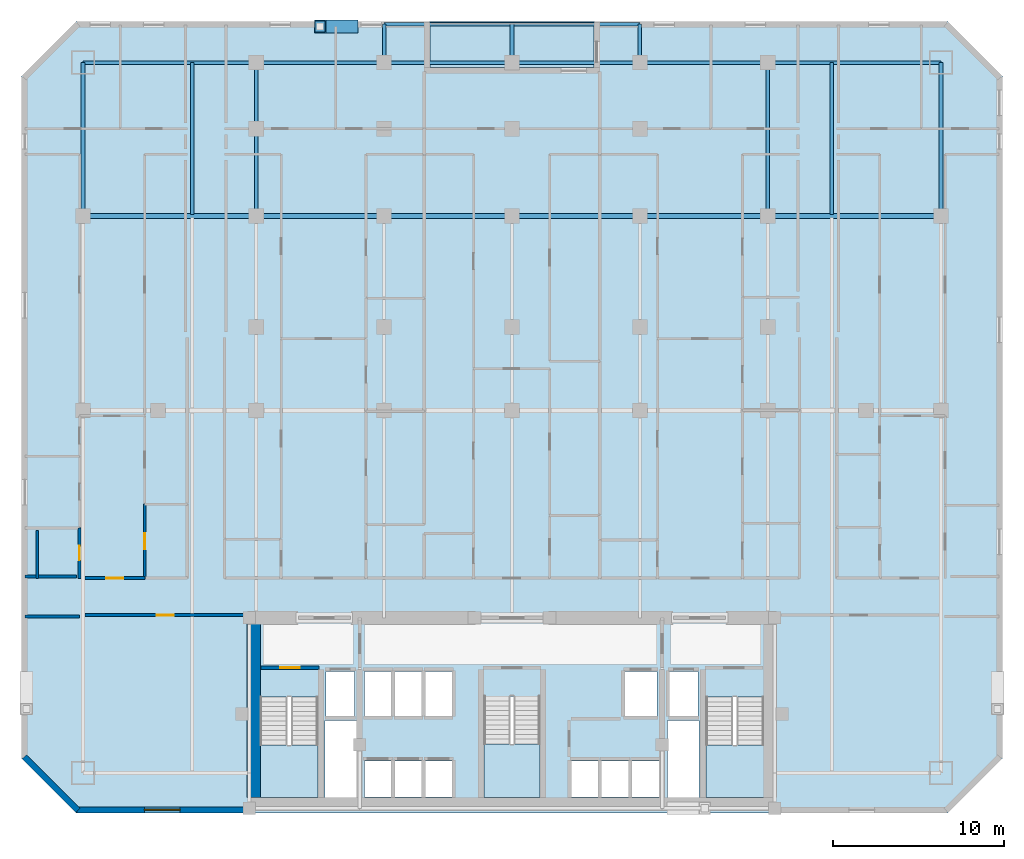
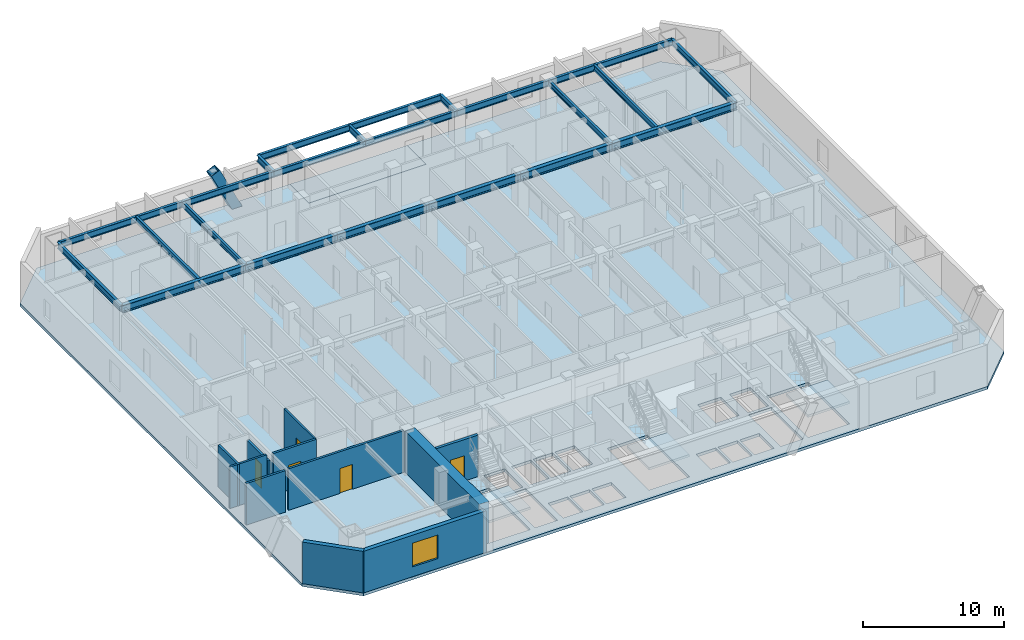
# One storey, part 2 of 10: 23 beams, 11 walls, 5 doors, 5 slabs, 1 member, 1 window, 6 openings, 3 elements without a shape of their own.
"""IFC4 building model written with IfcOpenShell, lengths in metres."""

from ifc_helpers import new_model, si_unit, direction, frame, frame_2d, origin, origin_2d, place, context, subcontext, project, spatial, polyline, rectangle, hollow_rectangle, i_section, outline, extrude, material, layer, layer_set, material_profile, profile_set, type_object, element, fill, aggregate, save


model = new_model("IFC4")

# Units and contexts
model_context = context("Model", 3, precision=1e-05, world=origin(), true_north=direction((0.0, 1.0)))
body_context = subcontext(model_context, "Body", "Model", "MODEL_VIEW")
ifc_project = project(units=[si_unit("LENGTHUNIT", "METRE"), si_unit("AREAUNIT", "SQUARE_METRE"), si_unit("VOLUMEUNIT", "CUBIC_METRE"), si_unit("PLANEANGLEUNIT", "RADIAN"), si_unit("MASSUNIT", "GRAM", prefix="KILO")], contexts=[model_context])

# Site, building, storey
site_placement = place(None, origin())
site = spatial("IfcSite", under=ifc_project, at=site_placement, CompositionType="ELEMENT")
building_placement = place(site_placement, origin())
building = spatial("IfcBuilding", under=site, at=building_placement, Name="Ventersveld Concourse Tower", CompositionType="ELEMENT")
storey_placement = place(building_placement, frame((0.0, 0.0, 49.050048828125)))
storey = spatial("IfcBuildingStorey", under=building, at=storey_placement, Name="L11", CompositionType="ELEMENT", Elevation=49.050048828125)

# Beams
ifc_material_1 = material(Name="Structural steel S355J2", Category="steel")
ifc_material_profile_1 = material_profile(ifc_material_1, i_section(OverallWidth=0.19140625, OverallDepth=0.4599609375, WebThickness=0.010009765625, FlangeThickness=0.01611328125, FilletRadius=0.01025390625, at=origin_2d()), Name="UB 457x191x82")
ifc_profile_set_1 = profile_set([ifc_material_profile_1], Name="Structural steel S355J2")
beam_type_1 = type_object("IfcBeamType", Name="BM-UB457H", PredefinedType="BEAM", material=ifc_profile_set_1)
beam_1_placement = place(storey_placement, frame((10.0, 35.094970703125, 3.369873046875), z_axis=(0.0, 1.0, 0.0), x_axis=(-1.0, 0.0, 0.0)))
element("IfcBeam", 1, at=beam_1_placement, inside=storey, type_object=beam_type_1, Name="L11 N-S Composite Floor Beam North X=10.00", PredefinedType="BEAM", context=body_context, shape_type="SweptSolid", body=[
    extrude(i_section(OverallWidth=0.19140625, OverallDepth=0.4599609375, WebThickness=0.010009765625, FlangeThickness=0.01611328125, FilletRadius=0.01025390625, at=origin_2d()), origin(), (0.0, 0.0, 1.0), 8.905029296875),
])
for number, where, z_axis, x_axis, name in (
    (2, (13.75, 35.0, 3.369873046875), (0.0, 1.0, 0.0), (-1.0, 0.0, 0.0), "L11 N-S Composite Floor Beam North X=13.75"),
    (3, (43.75, 35.0, 3.369873046875), (0.0, 1.0, 0.0), (-1.0, 0.0, 0.0), "L11 N-S Composite Floor Beam North X=43.75"),
):
    element("IfcBeam", number, at=place(storey_placement, frame(where, z_axis=z_axis, x_axis=x_axis)), inside=storey, type_object=beam_type_1, Name=name, PredefinedType="BEAM", context=body_context, shape_type="SweptSolid", body=[
        extrude(i_section(OverallWidth=0.19140625, OverallDepth=0.4599609375, WebThickness=0.010009765625, FlangeThickness=0.01611328125, FilletRadius=0.01025390625, at=origin_2d()), origin(), (0.0, 0.0, 1.0), 9.0),
    ])
beam_2_placement = place(storey_placement, frame((47.5, 35.094970703125, 3.369873046875), z_axis=(0.0, 1.0, 0.0), x_axis=(-1.0, 0.0, 0.0)))
element("IfcBeam", 4, at=beam_2_placement, inside=storey, type_object=beam_type_1, Name="L11 N-S Composite Floor Beam North X=47.50", PredefinedType="BEAM", context=body_context, shape_type="SweptSolid", body=[
    extrude(i_section(OverallWidth=0.19140625, OverallDepth=0.4599609375, WebThickness=0.010009765625, FlangeThickness=0.01611328125, FilletRadius=0.01025390625, at=origin_2d()), origin(), (0.0, 0.0, 1.0), 8.905029296875),
])
ifc_material_profile_2 = material_profile(ifc_material_1, i_section(OverallWidth=0.311279296875, OverallDepth=0.6357421875, WebThickness=0.018310546875, FlangeThickness=0.031494140625, FilletRadius=0.0166015625, at=origin_2d()), Name="UB 610x305x238")
ifc_profile_set_2 = profile_set([ifc_material_profile_2], Name="Structural steel S355J2")
beam_type_2 = type_object("IfcBeamType", Name="GRD-UB610H", PredefinedType="USERDEFINED", material=ifc_profile_set_2)
beam_3_placement = place(storey_placement, frame((3.60009765625, 35.0, 3.281982421875), z_axis=(1.0, 0.0, 0.0), x_axis=(0.0, 1.0, 0.0)))
element("IfcBeam", 5, at=beam_3_placement, inside=storey, type_object=beam_type_2, Name="L11 E-W Grid Girder Y=35.00 #1", ObjectType="GIRDER", PredefinedType="USERDEFINED", context=body_context, shape_type="SweptSolid", body=[
    extrude(i_section(OverallWidth=0.311279296875, OverallDepth=0.6357421875, WebThickness=0.018310546875, FlangeThickness=0.031494140625, FilletRadius=0.0166015625, at=origin_2d()), origin(), (0.0, 0.0, 1.0), 10.14990234375),
])
for number, where, z_axis, x_axis, name in (
    (6, (13.75, 35.0, 3.281982421875), (1.0, 0.0, 0.0), (0.0, 1.0, 0.0), "L11 E-W Grid Girder Y=35.00 #2"),
    (7, (21.25, 35.0, 3.281982421875), (1.0, 0.0, 0.0), (0.0, 1.0, 0.0), "L11 E-W Grid Girder Y=35.00 #3"),
    (8, (28.75, 35.0, 3.281982421875), (1.0, 0.0, 0.0), (0.0, 1.0, 0.0), "L11 E-W Grid Girder Y=35.00 #4"),
    (9, (36.25, 35.0, 3.281982421875), (1.0, 0.0, 0.0), (0.0, 1.0, 0.0), "L11 E-W Grid Girder Y=35.00 #5"),
):
    element("IfcBeam", number, at=place(storey_placement, frame(where, z_axis=z_axis, x_axis=x_axis)), inside=storey, type_object=beam_type_2, Name=name, ObjectType="GIRDER", PredefinedType="USERDEFINED", context=body_context, shape_type="SweptSolid", body=[
        extrude(i_section(OverallWidth=0.311279296875, OverallDepth=0.6357421875, WebThickness=0.018310546875, FlangeThickness=0.031494140625, FilletRadius=0.0166015625, at=origin_2d()), origin(), (0.0, 0.0, 1.0), 7.5),
    ])
beam_4_placement = place(storey_placement, frame((43.75, 35.0, 3.281982421875), z_axis=(1.0, 0.0, 0.0), x_axis=(0.0, 1.0, 0.0)))
element("IfcBeam", 10, at=beam_4_placement, inside=storey, type_object=beam_type_2, Name="L11 E-W Grid Girder Y=35.00 #6", ObjectType="GIRDER", PredefinedType="USERDEFINED", context=body_context, shape_type="SweptSolid", body=[
    extrude(i_section(OverallWidth=0.311279296875, OverallDepth=0.6357421875, WebThickness=0.018310546875, FlangeThickness=0.031494140625, FilletRadius=0.0166015625, at=origin_2d()), origin(), (0.0, 0.0, 1.0), 10.14990234375),
])

# Member
ifc_material_2 = material(Name="Structural steel S355ML", Category="steel")
ifc_material_profile_3 = material_profile(ifc_material_2, hollow_rectangle(XDim=0.75, YDim=0.75, WallThickness=0.044921875, at=origin_2d()), Name="BOX 750x750x45")
ifc_profile_set_3 = profile_set([ifc_material_profile_3], Name="Structural steel S355ML")
member_type = type_object("IfcMemberType", Name="MB-750x750", PredefinedType="BRACE", material=ifc_profile_set_3)
member_placement = place(storey_placement, frame((19.375, 46.1201171875, -0.25), z_axis=(-0.437861906815, 0.0, 0.899042240699), x_axis=(0.0, -1.0, 0.0)))
element("IfcMember", 11, at=member_placement, inside=storey, type_object=member_type, Name="L11 Exterior Mega-Brace N (Module M02)", PredefinedType="BRACE", context=body_context, shape_type="SweptSolid", body=[
    extrude(hollow_rectangle(XDim=0.75, YDim=0.75, WallThickness=0.044921875, at=origin_2d()), origin(), (0.0, 0.0, 1.0), 4.2822265625),
])

# Beams
ifc_material_profile_4 = material_profile(ifc_material_1, i_section(OverallWidth=0.2119140625, OverallDepth=0.54443359375, WebThickness=0.0126953125, FlangeThickness=0.021240234375, FilletRadius=0.0126953125, at=origin_2d()), Name="UB 533x210x122")
ifc_profile_set_4 = profile_set([ifc_material_profile_4], Name="Structural steel S355J2")
beam_type_3 = type_object("IfcBeamType", Name="SPD-UB533", PredefinedType="SPANDREL", material=ifc_profile_set_4)
for number, where, z_axis, x_axis, name in (
    (12, (3.60009765625, 35.0, 3.32763671875), (0.0, 1.0, 0.0), (-1.0, 0.0, 0.0), "L11 West Spandrel Beam N"),
    (13, (53.89990234375, 35.0, 3.32763671875), (0.0, 1.0, 0.0), (-1.0, 0.0, 0.0), "L11 East Spandrel Beam N"),
):
    element("IfcBeam", number, at=place(storey_placement, frame(where, z_axis=z_axis, x_axis=x_axis)), inside=storey, type_object=beam_type_3, Name=name, PredefinedType="SPANDREL", context=body_context, shape_type="SweptSolid", body=[
        extrude(i_section(OverallWidth=0.2119140625, OverallDepth=0.54443359375, WebThickness=0.0126953125, FlangeThickness=0.021240234375, FilletRadius=0.0126953125, at=origin_2d()), origin(), (0.0, 0.0, 1.0), 9.0),
    ])
for number, where, z_axis, x_axis, name in (
    (14, (21.25, 44.0, 3.32763671875), (0.0, 1.0, 0.0), (-1.0, 0.0, 0.0), "L11 Terrace Bracket W"),
    (15, (28.75, 44.0, 3.32763671875), (0.0, 1.0, 0.0), (-1.0, 0.0, 0.0), "L11 Terrace Bracket C"),
    (16, (36.25, 44.0, 3.32763671875), (0.0, 1.0, 0.0), (-1.0, 0.0, 0.0), "L11 Terrace Bracket E"),
):
    element("IfcBeam", number, at=place(storey_placement, frame(where, z_axis=z_axis, x_axis=x_axis)), inside=storey, type_object=beam_type_3, Name=name, PredefinedType="SPANDREL", context=body_context, shape_type="SweptSolid", body=[
        extrude(i_section(OverallWidth=0.2119140625, OverallDepth=0.54443359375, WebThickness=0.0126953125, FlangeThickness=0.021240234375, FilletRadius=0.0126953125, at=origin_2d()), origin(), (0.0, 0.0, 1.0), 2.25),
    ])
for number, where, z_axis, x_axis, name in (
    (17, (21.25, 46.25, 3.32763671875), (1.0, 0.0, 0.0), (0.0, 1.0, 0.0), "L11 Terrace Edge Spandrel W"),
    (18, (28.75, 46.25, 3.32763671875), (1.0, 0.0, 0.0), (0.0, 1.0, 0.0), "L11 Terrace Edge Spandrel E"),
):
    element("IfcBeam", number, at=place(storey_placement, frame(where, z_axis=z_axis, x_axis=x_axis)), inside=storey, type_object=beam_type_3, Name=name, PredefinedType="SPANDREL", context=body_context, shape_type="SweptSolid", body=[
        extrude(i_section(OverallWidth=0.2119140625, OverallDepth=0.54443359375, WebThickness=0.0126953125, FlangeThickness=0.021240234375, FilletRadius=0.0126953125, at=origin_2d()), origin(), (0.0, 0.0, 1.0), 7.5),
    ])
beam_5_placement = place(storey_placement, frame((3.60009765625, 44.0, 3.32763671875), z_axis=(1.0, 0.0, 0.0), x_axis=(0.0, 1.0, 0.0)))
element("IfcBeam", 19, at=beam_5_placement, inside=storey, type_object=beam_type_3, Name="L11 North Spandrel Girder Y=44.00 #1", PredefinedType="SPANDREL", context=body_context, shape_type="SweptSolid", body=[
    extrude(i_section(OverallWidth=0.2119140625, OverallDepth=0.54443359375, WebThickness=0.0126953125, FlangeThickness=0.021240234375, FilletRadius=0.0126953125, at=origin_2d()), origin(), (0.0, 0.0, 1.0), 10.14990234375),
])
for number, where, z_axis, x_axis, name in (
    (20, (13.75, 44.0, 3.32763671875), (1.0, 0.0, 0.0), (0.0, 1.0, 0.0), "L11 North Spandrel Girder Y=44.00 #2"),
    (21, (21.25, 44.0, 3.32763671875), (1.0, 0.0, 0.0), (0.0, 1.0, 0.0), "L11 North Spandrel Girder Y=44.00 #3"),
    (22, (28.75, 44.0, 3.32763671875), (1.0, 0.0, 0.0), (0.0, 1.0, 0.0), "L11 North Spandrel Girder Y=44.00 #4"),
    (23, (36.25, 44.0, 3.32763671875), (1.0, 0.0, 0.0), (0.0, 1.0, 0.0), "L11 North Spandrel Girder Y=44.00 #5"),
):
    element("IfcBeam", number, at=place(storey_placement, frame(where, z_axis=z_axis, x_axis=x_axis)), inside=storey, type_object=beam_type_3, Name=name, PredefinedType="SPANDREL", context=body_context, shape_type="SweptSolid", body=[
        extrude(i_section(OverallWidth=0.2119140625, OverallDepth=0.54443359375, WebThickness=0.0126953125, FlangeThickness=0.021240234375, FilletRadius=0.0126953125, at=origin_2d()), origin(), (0.0, 0.0, 1.0), 7.5),
    ])
beam_6_placement = place(storey_placement, frame((43.75, 44.0, 3.32763671875), z_axis=(1.0, 0.0, 0.0), x_axis=(0.0, 1.0, 0.0)))
element("IfcBeam", 24, at=beam_6_placement, inside=storey, type_object=beam_type_3, Name="L11 North Spandrel Girder Y=44.00 #6", PredefinedType="SPANDREL", context=body_context, shape_type="SweptSolid", body=[
    extrude(i_section(OverallWidth=0.2119140625, OverallDepth=0.54443359375, WebThickness=0.0126953125, FlangeThickness=0.021240234375, FilletRadius=0.0126953125, at=origin_2d()), origin(), (0.0, 0.0, 1.0), 10.14990234375),
])

# Slabs
ifc_material_3 = material(Name="Concrete C50/60", Category="concrete")
ifc_layer_1 = layer(ifc_material_3, 0.25)
ifc_layer_set_1 = layer_set([ifc_layer_1], Name="Concrete C50/60")
slab_type_1 = type_object("IfcSlabType", Name="SL-FLR-250", PredefinedType="FLOOR", material=ifc_layer_set_1)
slab_1_placement = place(storey_placement, frame((0.0, 0.0, -0.25)))
element("IfcSlab", 25, at=slab_1_placement, inside=storey, type_object=slab_type_1, Name="L11 Composite Floor Slab", PredefinedType="FLOOR", context=body_context, shape_type="SweptSolid", body=[
    extrude(outline(polyline([(3.199951171875, 0.0), (54.300048828125, 0.0), (57.5, 3.199951171875), (57.5, 43.199951171875), (54.300048828125, 46.39990234375), (33.550048828125, 46.39990234375), (33.550048828125, 43.699951171875), (23.949951171875, 43.699951171875), (23.949951171875, 46.39990234375), (3.199951171875, 46.39990234375), (0.0, 43.199951171875), (0.0, 3.199951171875), (3.199951171875, 0.0)]), holes=[polyline([(13.97998046875, 6.794921875), (13.97998046875, 0.89990234375), (17.3798828125, 0.89990234375), (17.3798828125, 6.794921875), (13.97998046875, 6.794921875)]), polyline([(40.1201171875, 6.794921875), (40.1201171875, 0.89990234375), (43.52001953125, 0.89990234375), (43.52001953125, 6.794921875), (40.1201171875, 6.794921875)]), polyline([(27.10009765625, 6.844970703125), (27.10009765625, 0.89990234375), (30.39990234375, 0.89990234375), (30.39990234375, 6.844970703125), (27.10009765625, 6.844970703125)]), polyline([(17.85009765625, 5.699951171875), (19.530029296875, 5.699951171875), (19.530029296875, 8.300048828125), (17.85009765625, 8.300048828125), (17.85009765625, 5.699951171875)]), polyline([(37.969970703125, 5.699951171875), (39.64990234375, 5.699951171875), (39.64990234375, 8.300048828125), (37.969970703125, 8.300048828125), (37.969970703125, 5.699951171875)]), polyline([(35.35009765625, 5.699951171875), (37.25, 5.699951171875), (37.25, 8.300048828125), (35.35009765625, 8.300048828125), (35.35009765625, 5.699951171875)]), polyline([(20.090087890625, 0.949951171875), (21.68994140625, 0.949951171875), (21.68994140625, 3.050048828125), (20.090087890625, 3.050048828125), (20.090087890625, 0.949951171875)]), polyline([(21.8701171875, 0.949951171875), (23.469970703125, 0.949951171875), (23.469970703125, 3.050048828125), (21.8701171875, 3.050048828125), (21.8701171875, 0.949951171875)]), polyline([(23.64990234375, 0.949951171875), (25.25, 0.949951171875), (25.25, 3.050048828125), (23.64990234375, 3.050048828125), (23.64990234375, 0.949951171875)]), polyline([(32.2099609375, 0.949951171875), (33.81005859375, 0.949951171875), (33.81005859375, 3.050048828125), (32.2099609375, 3.050048828125), (32.2099609375, 0.949951171875)]), polyline([(33.989990234375, 0.949951171875), (35.590087890625, 0.949951171875), (35.590087890625, 3.050048828125), (33.989990234375, 3.050048828125), (33.989990234375, 0.949951171875)]), polyline([(35.77001953125, 0.949951171875), (37.3701171875, 0.949951171875), (37.3701171875, 3.050048828125), (35.77001953125, 3.050048828125), (35.77001953125, 0.949951171875)]), polyline([(20.090087890625, 5.699951171875), (21.68994140625, 5.699951171875), (21.68994140625, 8.300048828125), (20.090087890625, 8.300048828125), (20.090087890625, 5.699951171875)]), polyline([(21.8701171875, 5.699951171875), (23.469970703125, 5.699951171875), (23.469970703125, 8.300048828125), (21.8701171875, 8.300048828125), (21.8701171875, 5.699951171875)]), polyline([(23.64990234375, 5.699951171875), (25.25, 5.699951171875), (25.25, 8.300048828125), (23.64990234375, 8.300048828125), (23.64990234375, 5.699951171875)]), polyline([(17.780029296875, 0.919921875), (19.6201171875, 0.919921875), (19.6201171875, 5.419921875), (17.780029296875, 5.419921875), (17.780029296875, 0.919921875)]), polyline([(37.8798828125, 0.919921875), (39.719970703125, 0.919921875), (39.719970703125, 5.419921875), (37.8798828125, 5.419921875), (37.8798828125, 0.919921875)])]), origin(), (0.0, 0.0, 1.0), 0.25),
])
slab_2_placement = place(storey_placement, frame((0.0, 0.0, -0.25)))
element("IfcSlab", 26, at=slab_2_placement, inside=storey, type_object=slab_type_1, Name="L11 Outdoor Terrace Slab NOTCH-N", PredefinedType="FLOOR", context=body_context, shape_type="SweptSolid", body=[
    extrude(outline(polyline([(23.949951171875, 43.699951171875), (33.550048828125, 43.699951171875), (33.550048828125, 46.39990234375), (23.949951171875, 46.39990234375), (23.949951171875, 43.699951171875)])), origin(), (0.0, 0.0, 1.0), 0.25),
])

# Stair, slab
stair_type_1 = type_object("IfcStairType", Name="ST-DOG-160", PredefinedType="HALF_TURN_STAIR", material=ifc_material_3)
stair_1_placement = place(storey_placement, origin())
stair_1 = element("IfcStair", 27, at=stair_1_placement, inside=storey, type_object=stair_type_1, Name="L11 Protected Tower Escape Stair ST-01", PredefinedType="HALF_TURN_STAIR")
ifc_layer_2 = layer(ifc_material_3, 0.199951171875)
ifc_layer_set_2 = layer_set([ifc_layer_2], Name="Concrete C50/60")
slab_type_2 = type_object("IfcSlabType", Name="SL-LND-200", PredefinedType="LANDING", material=ifc_layer_set_2)
slab_3_placement = place(storey_placement, frame((0.0, 0.0, 1.724853515625)))
slab_3 = element("IfcSlab", 28, at=slab_3_placement, type_object=slab_type_2, Name="ST-01 landing 1", PredefinedType="LANDING", context=body_context, shape_type="SweptSolid", body=[
    extrude(outline(polyline([(13.97998046875, 4.0), (13.97998046875, 0.89990234375), (17.3798828125, 0.89990234375), (17.3798828125, 4.0), (13.97998046875, 4.0)])), origin(), (0.0, 0.0, 1.0), 0.2001953125),
])
aggregate(stair_1, [slab_3])

stair_2_placement = place(storey_placement, origin())
stair_2 = element("IfcStair", 29, at=stair_2_placement, inside=storey, type_object=stair_type_1, Name="L11 Protected Tower Escape Stair ST-02", PredefinedType="HALF_TURN_STAIR")
slab_4_placement = place(storey_placement, frame((0.0, 0.0, 1.724853515625)))
slab_4 = element("IfcSlab", 30, at=slab_4_placement, type_object=slab_type_2, Name="ST-02 landing 1", PredefinedType="LANDING", context=body_context, shape_type="SweptSolid", body=[
    extrude(outline(polyline([(40.1201171875, 4.0), (40.1201171875, 0.89990234375), (43.52001953125, 0.89990234375), (43.52001953125, 4.0), (40.1201171875, 4.0)])), origin(), (0.0, 0.0, 1.0), 0.2001953125),
])
aggregate(stair_2, [slab_4])

stair_type_2 = type_object("IfcStairType", Name="ST-DOG-155", PredefinedType="HALF_TURN_STAIR", material=ifc_material_3)
stair_3_placement = place(storey_placement, origin())
stair_3 = element("IfcStair", 31, at=stair_3_placement, inside=storey, type_object=stair_type_2, Name="L11 Protected Central Core Escape Stair ST-03", PredefinedType="HALF_TURN_STAIR")
slab_5_placement = place(storey_placement, frame((0.0, 0.0, 1.724853515625)))
slab_5 = element("IfcSlab", 32, at=slab_5_placement, type_object=slab_type_2, Name="ST-03 landing 1", PredefinedType="LANDING", context=body_context, shape_type="SweptSolid", body=[
    extrude(outline(polyline([(27.10009765625, 4.050048828125), (27.10009765625, 0.89990234375), (30.39990234375, 0.89990234375), (30.39990234375, 4.050048828125), (27.10009765625, 4.050048828125)])), origin(), (0.0, 0.0, 1.0), 0.2001953125),
])
aggregate(stair_3, [slab_5])

# Wall
ifc_material_4 = material(Name="Concrete C60/75", Category="concrete")
ifc_layer_3 = layer(ifc_material_4, 0.800048828125)
ifc_layer_set_3 = layer_set([ifc_layer_3], Name="Concrete C60/75")
wall_type_1 = type_object("IfcWallType", Name="WL-CORE-800", PredefinedType="SHEAR", material=ifc_layer_set_3)
wall_1_placement = place(storey_placement, frame((13.60009765625, 0.919921875, 0.0), z_axis=(0.0, 0.0, 1.0), x_axis=(0.0, 1.0, 0.0)))
element("IfcWall", 33, at=wall_1_placement, inside=storey, type_object=wall_type_1, Name="L11 Rear Core West Shear Wall", PredefinedType="SHEAR", context=body_context, shape_type="SweptSolid", body=[
    extrude(rectangle(XDim=10.530029296875, YDim=0.800048828125, at=frame_2d((5.26513671875, 0.0))), origin(), (0.0, 0.0, 1.0), 3.599853515625),
])

# Wall, opening, door
ifc_material_5 = material(Name="Fire-rated autoclaved aerated masonry blockwork", Category="masonry")
ifc_layer_4 = layer(ifc_material_5, 0.179931640625)
ifc_layer_set_4 = layer_set([ifc_layer_4], Name="Fire-rated autoclaved aerated masonry blockwork")
wall_type_2 = type_object("IfcWallType", Name="WL-CORR-180", PredefinedType="PARTITIONING", material=ifc_layer_set_4)
wall_2_placement = place(storey_placement, frame((3.705078125, 11.60009765625, 0.0), z_axis=(0.0, 0.0, 1.0), x_axis=(1.0, 0.0, 0.0)))
wall_2 = element("IfcWall", 34, at=wall_2_placement, inside=storey, type_object=wall_type_2, Name="L11 Interior Partition SP-L11-SW-GAL-SP-L11-COR", PredefinedType="PARTITIONING", context=body_context, shape_type="SweptSolid", body=[
    extrude(rectangle(XDim=9.43994140625, YDim=0.179931640625, at=frame_2d((4.719970703125, 0.0))), origin(), (0.0, 0.0, 1.0), 3.599853515625),
])
opening_1_placement = place(wall_2_placement, frame((4.219970703125, 0.0, 0.0)))
opening_1 = element("IfcOpeningElement", 35, at=opening_1_placement, cuts=wall_2, Name="Opening FD3", PredefinedType="OPENING", context=body_context, shape_type="SweptSolid", body=[
    extrude(rectangle(XDim=1.0, YDim=2.14990234375, at=frame_2d((0.5, 1.074951171875))), frame((0.0, 0.10009765625, 0.0), z_axis=(0.0, -1.0, 0.0), x_axis=(1.0, 0.0, 0.0)), (0.0, 0.0, 1.0), 0.199951171875),
])
ifc_material_6 = material(Name="Solid-core hardwood veneer timber", Category="wood")
door_type_1 = type_object("IfcDoorType", Name="DR-FLAT-100", OperationType="NOTDEFINED", PredefinedType="DOOR", material=ifc_material_6)
door_1_placement = place(opening_1_placement, origin())
door_1 = element("IfcDoor", 36, at=door_1_placement, inside=storey, type_object=door_type_1, Name="L11 Interior Door SP-L11-SW-GAL to SP-L11-COR (D-L11-0420)", OperationType="SINGLE_SWING_RIGHT", OverallHeight=2.14990234375, OverallWidth=1.0, PredefinedType="DOOR", context=body_context, shape_type="SweptSolid", body=[
    extrude(rectangle(XDim=1.0, YDim=2.14990234375, at=frame_2d((0.5, 1.074951171875))), frame((0.0, 0.02490234375, 0.0), z_axis=(0.0, -1.0, 0.0), x_axis=(1.0, 0.0, 0.0)), (0.0, 0.0, 1.0), 0.050048828125),
])
fill(opening_1, door_1)

wall_3_placement = place(storey_placement, frame((3.705078125, 13.77001953125, 0.0), z_axis=(0.0, 0.0, 1.0), x_axis=(1.0, 0.0, 0.0)))
wall_3 = element("IfcWall", 37, at=wall_3_placement, inside=storey, type_object=wall_type_2, Name="L11 Interior Partition SP-L11-COR-SP-L11-11NW-FOY", PredefinedType="PARTITIONING", context=body_context, shape_type="SweptSolid", body=[
    extrude(rectangle(XDim=3.51708984375, YDim=0.179931640625, at=frame_2d((1.758544921875, 0.0))), origin(), (0.0, 0.0, 1.0), 3.599853515625),
])
opening_2_placement = place(wall_3_placement, frame((1.258544921875, 0.0, 0.0)))
opening_2 = element("IfcOpeningElement", 38, at=opening_2_placement, cuts=wall_3, Name="Opening FD3", PredefinedType="OPENING", context=body_context, shape_type="SweptSolid", body=[
    extrude(rectangle(XDim=1.0, YDim=2.14990234375, at=frame_2d((0.5, 1.074951171875))), frame((0.0, 0.10009765625, 0.0), z_axis=(0.0, -1.0, 0.0), x_axis=(1.0, 0.0, 0.0)), (0.0, 0.0, 1.0), 0.199951171875),
])
door_2_placement = place(opening_2_placement, origin())
door_2 = element("IfcDoor", 39, at=door_2_placement, inside=storey, type_object=door_type_1, Name="L11 Interior Door SP-L11-COR to SP-L11-11NW-FOY (FD-L11-0422)", OperationType="SINGLE_SWING_RIGHT", OverallHeight=2.14990234375, OverallWidth=1.0, PredefinedType="DOOR", context=body_context, shape_type="SweptSolid", body=[
    extrude(rectangle(XDim=1.0, YDim=2.14990234375, at=frame_2d((0.5, 1.074951171875))), frame((0.0, 0.02490234375, 0.0), z_axis=(0.0, -1.0, 0.0), x_axis=(1.0, 0.0, 0.0)), (0.0, 0.0, 1.0), 0.050048828125),
])
fill(opening_2, door_2)

# Wall
wall_4_placement = place(storey_placement, frame((0.2099609375, 11.52001953125, 0.0), z_axis=(0.0, 0.0, 1.0), x_axis=(1.0, 0.0, 0.0)))
element("IfcWall", 40, at=wall_4_placement, inside=storey, type_object=wall_type_2, Name="L11 Room Enclosure Wall SP-L11-SW-GAL", PredefinedType="PARTITIONING", context=body_context, shape_type="SweptSolid", body=[
    extrude(rectangle(XDim=3.177734375, YDim=0.179931640625, at=frame_2d((1.5888671875, 0.0))), origin(), (0.0, 0.0, 1.0), 3.599853515625),
])

# Wall, opening, door
ifc_layer_5 = layer(ifc_material_5, 0.219970703125)
ifc_layer_set_5 = layer_set([ifc_layer_5], Name="Fire-rated autoclaved aerated masonry blockwork")
wall_type_3 = type_object("IfcWallType", Name="WL-HOIST-220", PredefinedType="SOLIDWALL", material=ifc_layer_set_5)
wall_5_placement = place(storey_placement, frame((14.0400390625, 8.52001953125, 0.0), z_axis=(0.0, 0.0, 1.0), x_axis=(1.0, 0.0, 0.0)))
wall_5 = element("IfcWall", 41, at=wall_5_placement, inside=storey, type_object=wall_type_3, Name="L11 Escape Stair ST01 Fire Wall", PredefinedType="SOLIDWALL", context=body_context, shape_type="SweptSolid", body=[
    extrude(rectangle(XDim=3.39990234375, YDim=0.219970703125, at=frame_2d((1.699951171875, 0.0))), origin(), (0.0, 0.0, 1.0), 3.599853515625),
])
opening_3_placement = place(wall_5_placement, frame((1.125, 0.0, 0.0)))
opening_3 = element("IfcOpeningElement", 42, at=opening_3_placement, cuts=wall_5, Name="Opening FD1", PredefinedType="OPENING", context=body_context, shape_type="SweptSolid", body=[
    extrude(rectangle(XDim=1.14990234375, YDim=2.199951171875, at=frame_2d((0.574951171875, 1.10009765625))), frame((0.0, 0.1201171875, 0.0), z_axis=(0.0, -1.0, 0.0), x_axis=(1.0, 0.0, 0.0)), (0.0, 0.0, 1.0), 0.239990234375),
])
ifc_material_7 = material(Name="Galvanised painted steel", Category="steel")
door_type_2 = type_object("IfcDoorType", Name="DR-STAIR-115", OperationType="NOTDEFINED", PredefinedType="DOOR", material=ifc_material_7)
door_3_placement = place(opening_3_placement, origin())
door_3 = element("IfcDoor", 43, at=door_3_placement, inside=storey, type_object=door_type_2, Name="L11 Escape Stair Door ST01 (SD-L11-0411)", OperationType="SINGLE_SWING_LEFT", OverallHeight=2.199951171875, OverallWidth=1.14990234375, PredefinedType="DOOR", context=body_context, shape_type="SweptSolid", body=[
    extrude(rectangle(XDim=1.14990234375, YDim=2.199951171875, at=frame_2d((0.574951171875, 1.10009765625))), frame((0.0, 0.02490234375, 0.0), z_axis=(0.0, -1.0, 0.0), x_axis=(1.0, 0.0, 0.0)), (0.0, 0.0, 1.0), 0.050048828125),
])
fill(opening_3, door_3)

ifc_material_8 = material(Name="Autoclaved aerated masonry blockwork", Category="masonry")
ifc_layer_6 = layer(ifc_material_8, 0.14990234375)
ifc_layer_set_6 = layer_set([ifc_layer_6], Name="Autoclaved aerated masonry blockwork")
wall_type_4 = type_object("IfcWallType", Name="WL-INT-150", PredefinedType="PARTITIONING", material=ifc_layer_set_6)
wall_6_placement = place(storey_placement, frame((7.21728515625, 13.764892578125, 0.0), z_axis=(0.0, 0.0, 1.0), x_axis=(0.0, 1.0, 0.0)))
wall_6 = element("IfcWall", 44, at=wall_6_placement, inside=storey, type_object=wall_type_4, Name="L11 Interior Partition SP-L11-11NW-FOY-SP-L11-11NW-KIT", PredefinedType="PARTITIONING", context=body_context, shape_type="SweptSolid", body=[
    extrude(rectangle(XDim=4.3408203125, YDim=0.14990234375, at=frame_2d((2.17041015625, 0.0))), origin(), (0.0, 0.0, 1.0), 3.599853515625),
])
opening_4_placement = place(wall_6_placement, frame((1.71044921875, 0.0, 0.0)))
opening_4 = element("IfcOpeningElement", 45, at=opening_4_placement, cuts=wall_6, Name="Opening ID1", PredefinedType="OPENING", context=body_context, shape_type="SweptSolid", body=[
    extrude(rectangle(XDim=0.919921875, YDim=2.10009765625, at=frame_2d((0.4599609375, 1.050048828125))), frame((0.0, 0.0849609375, 0.0), z_axis=(0.0, -1.0, 0.0), x_axis=(1.0, 0.0, 0.0)), (0.0, 0.0, 1.0), 0.169921875),
])
door_type_3 = type_object("IfcDoorType", Name="DR-ROOM-092", OperationType="NOTDEFINED", PredefinedType="DOOR", material=ifc_material_6)
door_4_placement = place(opening_4_placement, origin())
door_4 = element("IfcDoor", 46, at=door_4_placement, inside=storey, type_object=door_type_3, Name="L11 Interior Door SP-L11-11NW-FOY to SP-L11-11NW-KIT (D-L11-0431)", OperationType="SINGLE_SWING_LEFT", OverallHeight=2.10009765625, OverallWidth=0.919921875, PredefinedType="DOOR", context=body_context, shape_type="SweptSolid", body=[
    extrude(rectangle(XDim=0.919921875, YDim=2.10009765625, at=frame_2d((0.4599609375, 1.050048828125))), frame((0.0, 0.02490234375, 0.0), z_axis=(0.0, -1.0, 0.0), x_axis=(1.0, 0.0, 0.0)), (0.0, 0.0, 1.0), 0.050048828125),
])
fill(opening_4, door_4)

# Wall, opening, window
ifc_material_9 = material(Name="Precast concrete C45/55", Category="concrete")
ifc_layer_7 = layer(ifc_material_9, 0.35009765625)
ifc_layer_set_7 = layer_set([ifc_layer_7], Name="Precast concrete C45/55")
wall_type_5 = type_object("IfcWallType", Name="WL-PREC-350", PredefinedType="SOLIDWALL", material=ifc_layer_set_7)
wall_7_placement = place(storey_placement, frame((3.239990234375, 0.179931640625, 0.0), z_axis=(0.0, 0.0, 1.0), x_axis=(1.0, 0.0, 0.0)))
wall_7 = element("IfcWall", 47, at=wall_7_placement, inside=storey, type_object=wall_type_5, Name="L11 South-West Flank Precast Wall", PredefinedType="SOLIDWALL", context=body_context, shape_type="SweptSolid", body=[
    extrude(rectangle(XDim=10.010009765625, YDim=0.35009765625, at=frame_2d((5.0048828125, 0.0))), origin(), (0.0, 0.0, 1.0), 3.599853515625),
])
opening_5_placement = place(wall_7_placement, frame((3.955078125, 0.0, 0.85009765625)))
opening_5 = element("IfcOpeningElement", 48, at=opening_5_placement, cuts=wall_7, Name="Opening W7", PredefinedType="OPENING", context=body_context, shape_type="SweptSolid", body=[
    extrude(rectangle(XDim=2.10009765625, YDim=2.050048828125, at=frame_2d((1.050048828125, 1.02490234375))), frame((0.0, 0.18505859375, 0.0), z_axis=(0.0, -1.0, 0.0), x_axis=(1.0, 0.0, 0.0)), (0.0, 0.0, 1.0), 0.3701171875),
])
ifc_material_10 = material(Name="Tempered acoustic Low-E IGU", Category="glass")
window_type = type_object("IfcWindowType", Name="WIN-210x205", PartitioningType="SINGLE_PANEL", PredefinedType="WINDOW", material=ifc_material_10)
window_placement = place(opening_5_placement, origin())
window = element("IfcWindow", 49, at=window_placement, inside=storey, type_object=window_type, Name="L11 Punched Low-E Window W-0061", OverallHeight=2.050048828125, OverallWidth=2.10009765625, PartitioningType="SINGLE_PANEL", PredefinedType="WINDOW", context=body_context, shape_type="SweptSolid", body=[
    extrude(rectangle(XDim=2.10009765625, YDim=2.050048828125, at=frame_2d((1.050048828125, 1.02490234375))), frame((0.0, 0.030029296875, 0.0), z_axis=(0.0, -1.0, 0.0), x_axis=(1.0, 0.0, 0.0)), (0.0, 0.0, 1.0), 0.06005859375),
])
fill(opening_5, window)

# Wall
wall_8_placement = place(storey_placement, frame((0.152099609375, 3.29541015625, 0.0), z_axis=(0.0, 0.0, 1.0), x_axis=(0.707106781187, -0.707106781187, 0.0)))
element("IfcWall", 50, at=wall_8_placement, inside=storey, type_object=wall_type_5, Name="L11 Highveld Precast Facade Wall E12", PredefinedType="SOLIDWALL", context=body_context, shape_type="SweptSolid", body=[
    extrude(rectangle(XDim=4.4453125, YDim=0.35009765625, at=frame_2d((2.22265625, 0.0))), origin(), (0.0, 0.0, 1.0), 3.599853515625),
])

# Wall, opening, door
ifc_layer_8 = layer(ifc_material_8, 0.1650390625)
ifc_layer_set_8 = layer_set([ifc_layer_8], Name="Autoclaved aerated masonry blockwork")
wall_type_6 = type_object("IfcWallType", Name="WL-WET-165", PredefinedType="PLUMBINGWALL", material=ifc_layer_set_8)
wall_9_placement = place(storey_placement, frame((3.395263671875, 13.764892578125, 0.0), z_axis=(0.0, 0.0, 1.0), x_axis=(0.0, 1.0, 0.0)))
wall_9 = element("IfcWall", 51, at=wall_9_placement, inside=storey, type_object=wall_type_6, Name="L11 Interior Partition SP-L11-11NW-FOY-SP-L11-11NW-BATH", PredefinedType="PLUMBINGWALL", context=body_context, shape_type="SweptSolid", body=[
    extrude(rectangle(XDim=2.957275390625, YDim=0.1650390625, at=frame_2d((1.478515625, 0.0))), origin(), (0.0, 0.0, 1.0), 3.055419921875),
])
opening_6_placement = place(wall_9_placement, frame((1.0537109375, 0.0, 0.0)))
opening_6 = element("IfcOpeningElement", 52, at=opening_6_placement, cuts=wall_9, Name="Opening ID2", PredefinedType="OPENING", context=body_context, shape_type="SweptSolid", body=[
    extrude(rectangle(XDim=0.85009765625, YDim=2.10009765625, at=frame_2d((0.425048828125, 1.050048828125))), frame((0.0, 0.092529296875, 0.0), z_axis=(0.0, -1.0, 0.0), x_axis=(1.0, 0.0, 0.0)), (0.0, 0.0, 1.0), 0.18505859375),
])
door_type_4 = type_object("IfcDoorType", Name="DR-BATH-085", OperationType="NOTDEFINED", PredefinedType="DOOR", material=ifc_material_6)
door_5_placement = place(opening_6_placement, origin())
door_5 = element("IfcDoor", 53, at=door_5_placement, inside=storey, type_object=door_type_4, Name="L11 Interior Door SP-L11-11NW-FOY to SP-L11-11NW-BATH (D-L11-0428)", OperationType="SINGLE_SWING_RIGHT", OverallHeight=2.10009765625, OverallWidth=0.85009765625, PredefinedType="DOOR", context=body_context, shape_type="SweptSolid", body=[
    extrude(rectangle(XDim=0.85009765625, YDim=2.10009765625, at=frame_2d((0.425048828125, 1.050048828125))), frame((0.0, 0.02490234375, 0.0), z_axis=(0.0, -1.0, 0.0), x_axis=(1.0, 0.0, 0.0)), (0.0, 0.0, 1.0), 0.050048828125),
])
fill(opening_6, door_5)

# Walls
wall_10_placement = place(storey_placement, frame((3.230224609375, 13.860107421875, 0.0), z_axis=(0.0, 0.0, 1.0), x_axis=(-1.0, 0.0, 0.0)))
element("IfcWall", 54, at=wall_10_placement, inside=storey, type_object=wall_type_6, Name="L11 Room Enclosure Wall SP-L11-11NW-BATH", PredefinedType="PLUMBINGWALL", context=body_context, shape_type="SweptSolid", body=[
    extrude(rectangle(XDim=3.020263671875, YDim=0.1650390625, at=frame_2d((1.51025390625, 0.0))), origin(), (0.0, 0.0, 1.0), 3.599853515625),
])
wall_11_placement = place(storey_placement, frame((0.919921875, 13.764892578125, 0.0), z_axis=(0.0, 0.0, 1.0), x_axis=(0.0, 1.0, 0.0)))
element("IfcWall", 55, at=wall_11_placement, inside=storey, type_object=wall_type_6, Name="L11 Room Enclosure Wall SP-L11-11NW-BATH", PredefinedType="PLUMBINGWALL", context=body_context, shape_type="SweptSolid", body=[
    extrude(rectangle(XDim=2.787109375, YDim=0.1650390625, at=frame_2d((1.3935546875, 0.0))), origin(), (0.0, 0.0, 1.0), 3.599853515625),
])

save(model, "model.ifc")
